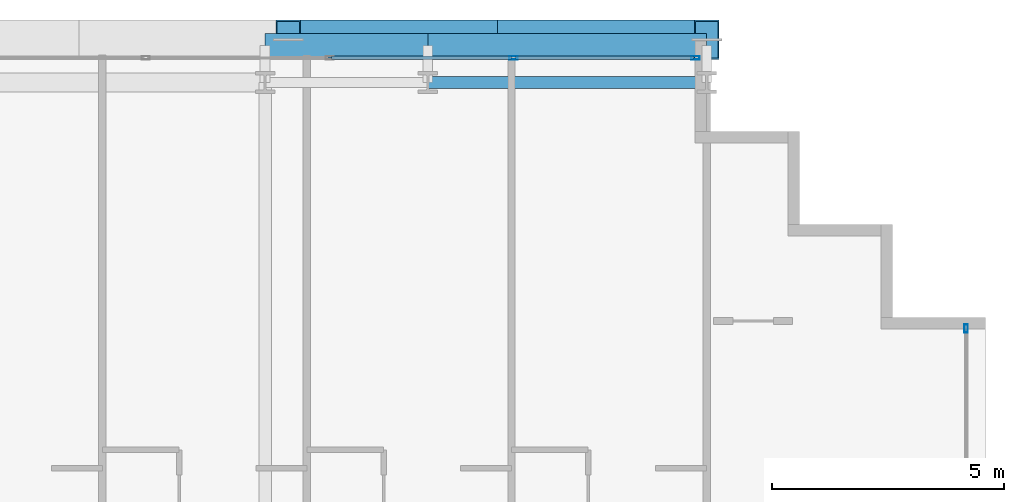
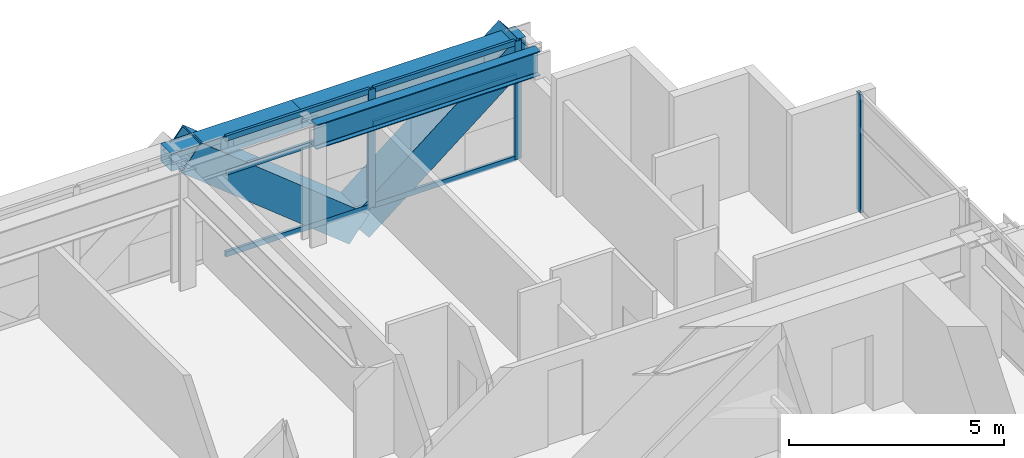
# One storey, part 25 of 41: 11 members, 3 beams, 2 elements without a shape of their own.
"""IFC4 building model written with IfcOpenShell, lengths in metres."""

from ifc_helpers import new_model, si_unit, direction, frame, origin, origin_2d, place, context, subcontext, project, spatial, hollow_rectangle, i_section, extrude, source, transform, mapped, material, layer, layer_set, material_profile, profile_set, type_object, element, aggregate, save


model = new_model("IFC4")

# Units and contexts
model_context = context("Model", 3, precision=1e-05, world=origin(), true_north=direction((0.0, 1.0)))
body_context = subcontext(model_context, "Body", "Model", "MODEL_VIEW")
ifc_project = project(units=[si_unit("LENGTHUNIT", "METRE"), si_unit("AREAUNIT", "SQUARE_METRE"), si_unit("VOLUMEUNIT", "CUBIC_METRE"), si_unit("PLANEANGLEUNIT", "RADIAN"), si_unit("MASSUNIT", "GRAM", prefix="KILO")], contexts=[model_context])

# Site, building, storey
site_placement = place(None, origin())
site = spatial("IfcSite", under=ifc_project, at=site_placement, CompositionType="ELEMENT")
building_placement = place(site_placement, origin())
building = spatial("IfcBuilding", under=site, at=building_placement, Name="Ocotamira Hotel", CompositionType="ELEMENT")
storey_placement = place(building_placement, frame((0.0, 0.0, 38.39990234375)))
storey = spatial("IfcBuildingStorey", under=building, at=storey_placement, Name="L08", CompositionType="ELEMENT", Elevation=38.39990234375)

# Beams
ifc_material_1 = material(Name="Steel ASTM A992 Grade 50", Category="steel")
ifc_material_profile_1 = material_profile(ifc_material_1, i_section(OverallWidth=0.256103515625, OverallDepth=0.693115234375, WebThickness=0.014404296875, FlangeThickness=0.023681640625, FilletRadius=0.01611328125, at=origin_2d()), Name="W27X114")
ifc_profile_set_1 = profile_set([ifc_material_profile_1], Name="Steel ASTM A992 Grade 50")
beam_type_1 = type_object("IfcBeamType", Name="BM-PRIM-W27X114", PredefinedType="BEAM", material=ifc_profile_set_1)
shared_shape_1 = source(origin(), body_context, "Body", "SweptSolid", [
    extrude(i_section(OverallWidth=0.256103515625, OverallDepth=0.693115234375, WebThickness=0.014404296875, FlangeThickness=0.023681640625, FilletRadius=0.01611328125, at=origin_2d()), origin(), (0.0, 0.0, 1.0), 6.0),
])
beam_1_placement = place(storey_placement, frame((44.0, 49.050048828125, 3.003662109375), z_axis=(1.0, 0.0, 0.0), x_axis=(0.0, 1.0, 0.0)))
element("IfcBeam", 1, at=beam_1_placement, inside=storey, type_object=beam_type_1, Name="L08 Girder Y49.05 X44-50", PredefinedType="BEAM", context=body_context, shape_type="MappedRepresentation", body=[
    mapped(shared_shape_1, transform((0.0, 0.0, 0.0), scale=1.0)),
])
ifc_material_2 = material(Name="Steel ASTM A500 Grade C", Category="steel")
ifc_material_profile_2 = material_profile(ifc_material_2, hollow_rectangle(XDim=0.5, YDim=0.5, WallThickness=0.02001953125, at=origin_2d()), Name="HSS500X500X20")
ifc_profile_set_2 = profile_set([ifc_material_profile_2], Name="Steel ASTM A500 Grade C")
beam_type_2 = type_object("IfcBeamType", Name="BM-SPAN-HSS500", PredefinedType="USERDEFINED", material=ifc_profile_set_2)
shared_shape_2 = source(origin(), body_context, "Body", "SweptSolid", [
    extrude(hollow_rectangle(XDim=0.5, YDim=0.5, WallThickness=0.02001953125, at=origin_2d()), origin(), (0.0, 0.0, 1.0), 6.0),
])
beam_2_placement = place(storey_placement, frame((44.0, 49.85009765625, 3.10009765625), z_axis=(1.0, 0.0, 0.0), x_axis=(0.0, 1.0, 0.0)))
element("IfcBeam", 2, at=beam_2_placement, inside=storey, type_object=beam_type_2, Name="L08 Edge Spandrel N X44-50", ObjectType="SPANDREL", PredefinedType="USERDEFINED", context=body_context, shape_type="MappedRepresentation", body=[
    mapped(shared_shape_2, transform((0.0, 0.0, 0.0), scale=1.0)),
])
shared_shape_3 = source(origin(), body_context, "Body", "SweptSolid", [
    extrude(hollow_rectangle(XDim=0.5, YDim=0.5, WallThickness=0.02001953125, at=origin_2d()), origin(), (0.0, 0.0, 1.0), 3.5),
])
beam_3_placement = place(storey_placement, frame((40.5, 49.85009765625, 3.10009765625), z_axis=(1.0, 0.0, 0.0), x_axis=(0.0, 1.0, 0.0)))
element("IfcBeam", 3, at=beam_3_placement, inside=storey, type_object=beam_type_2, Name="L08 Edge Spandrel N X40.5-44", ObjectType="SPANDREL", PredefinedType="USERDEFINED", context=body_context, shape_type="MappedRepresentation", body=[
    mapped(shared_shape_3, transform((0.0, 0.0, 0.0), scale=1.0)),
])

# Members
ifc_material_3 = material(Name="Pale-metal coated steel ASTM A913 Grade 65", Category="steel")
ifc_material_profile_3 = material_profile(ifc_material_3, hollow_rectangle(XDim=0.85009765625, YDim=0.85009765625, WallThickness=0.035888671875, at=origin_2d()), Name="BOX850X850X36")
ifc_profile_set_3 = profile_set([ifc_material_profile_3], Name="Pale-metal coated steel ASTM A913 Grade 65")
member_type_1 = type_object("IfcMemberType", Name="MEM-EXO-BOX850", PredefinedType="BRACE", material=ifc_profile_set_3)
shared_shape_4 = source(origin(), body_context, "Body", "SweptSolid", [
    extrude(hollow_rectangle(XDim=0.85009765625, YDim=0.85009765625, WallThickness=0.035888671875, at=origin_2d()), origin(), (0.0, 0.0, 1.0), 5.762939453125),
])
for number, where, z_axis, x_axis, name in (
    (4, (45.5, 49.969970703125, -0.5), (-0.780860543151, 0.0, 0.624705380279), (0.0, -1.0, 0.0), "L08 Exoskeleton Diagrid N3.1"),
    (5, (45.5, 49.969970703125, -0.5), (0.780860543151, 0.0, 0.624705380279), (0.0, 1.0, 0.0), "L08 Exoskeleton Diagrid N3.2"),
):
    element("IfcMember", number, at=place(storey_placement, frame(where, z_axis=z_axis, x_axis=x_axis)), inside=storey, type_object=member_type_1, Name=name, PredefinedType="BRACE", context=body_context, shape_type="MappedRepresentation", body=[
        mapped(shared_shape_4, transform((0.0, 0.0, 0.0), scale=1.0)),
    ])

# Curtain wall, members
ifc_material_4 = material(Name="Anodised pale-metal aluminium and solar glass", Category="aluminium")
ifc_layer = layer(ifc_material_4, 0.179931640625)
ifc_layer_set = layer_set([ifc_layer], Name="Anodised pale-metal aluminium and solar glass")
curtain_wall_type = type_object("IfcCurtainWallType", Name="CW-SYS2-Z1", PredefinedType="NOTDEFINED", material=ifc_layer_set)
curtain_wall_1_placement = place(storey_placement, origin())
curtain_wall_1 = element("IfcCurtainWall", 6, at=curtain_wall_1_placement, inside=storey, type_object=curtain_wall_type, Name="L08 Curtain Wall CW-2 CW-L08-N", PredefinedType="NOTDEFINED")
ifc_material_5 = material(Name="Anodised pale-metal aluminium 6063-T6", Category="aluminium")
ifc_material_profile_4 = material_profile(ifc_material_5, hollow_rectangle(XDim=0.074951171875, YDim=0.14990234375, WallThickness=0.006103515625, at=origin_2d()), Name="HSS150X75X6")
ifc_profile_set_4 = profile_set([ifc_material_profile_4], Name="Anodised pale-metal aluminium 6063-T6")
member_type_2 = type_object("IfcMemberType", Name="CWT-150X75", PredefinedType="USERDEFINED", material=ifc_profile_set_4)
shared_shape_5 = source(origin(), body_context, "Body", "SweptSolid", [
    extrude(hollow_rectangle(XDim=0.074951171875, YDim=0.14990234375, WallThickness=0.006103515625, at=origin_2d()), origin(), (0.0, 0.0, 1.0), 3.83544921875),
])
member_1_placement = place(storey_placement, frame((45.884521484375, 49.580078125, 0.03759765625), z_axis=(1.0, 0.0, 0.0), x_axis=(0.0, 1.0, 0.0)))
member_1 = element("IfcMember", 7, at=member_1_placement, type_object=member_type_2, Name="CW-2 transom 9.1", ObjectType="TRANSOM", PredefinedType="USERDEFINED", context=body_context, shape_type="MappedRepresentation", body=[
    mapped(shared_shape_5, transform((0.0, 0.0, 0.0), scale=1.0)),
])
member_2_placement = place(storey_placement, frame((45.884521484375, 49.580078125, 2.35009765625), z_axis=(1.0, 0.0, 0.0), x_axis=(0.0, 1.0, 0.0)))
member_2 = element("IfcMember", 8, at=member_2_placement, type_object=member_type_2, Name="CW-2 transom 9.2", ObjectType="TRANSOM", PredefinedType="USERDEFINED", context=body_context, shape_type="MappedRepresentation", body=[
    mapped(shared_shape_5, transform((0.0, 0.0, 0.0), scale=1.0)),
])
member_3_placement = place(storey_placement, frame((45.884521484375, 49.580078125, 3.3125), z_axis=(1.0, 0.0, 0.0), x_axis=(0.0, 1.0, 0.0)))
member_3 = element("IfcMember", 9, at=member_3_placement, type_object=member_type_2, Name="CW-2 transom 9.3", ObjectType="TRANSOM", PredefinedType="USERDEFINED", context=body_context, shape_type="MappedRepresentation", body=[
    mapped(shared_shape_5, transform((0.0, 0.0, 0.0), scale=1.0)),
])
shared_shape_6 = source(origin(), body_context, "Body", "SweptSolid", [
    extrude(hollow_rectangle(XDim=0.074951171875, YDim=0.14990234375, WallThickness=0.006103515625, at=origin_2d()), origin(), (0.0, 0.0, 1.0), 3.87548828125),
])
member_4_placement = place(storey_placement, frame((41.928955078125, 49.580078125, 0.03759765625), z_axis=(1.0, 0.0, 0.0), x_axis=(0.0, 1.0, 0.0)))
member_4 = element("IfcMember", 10, at=member_4_placement, type_object=member_type_2, Name="CW-2 transom 8.1", ObjectType="TRANSOM", PredefinedType="USERDEFINED", context=body_context, shape_type="MappedRepresentation", body=[
    mapped(shared_shape_6, transform((0.0, 0.0, 0.0), scale=1.0)),
])
member_5_placement = place(storey_placement, frame((41.928955078125, 49.580078125, 2.35009765625), z_axis=(1.0, 0.0, 0.0), x_axis=(0.0, 1.0, 0.0)))
member_5 = element("IfcMember", 11, at=member_5_placement, type_object=member_type_2, Name="CW-2 transom 8.2", ObjectType="TRANSOM", PredefinedType="USERDEFINED", context=body_context, shape_type="MappedRepresentation", body=[
    mapped(shared_shape_6, transform((0.0, 0.0, 0.0), scale=1.0)),
])
member_6_placement = place(storey_placement, frame((41.928955078125, 49.580078125, 3.3125), z_axis=(1.0, 0.0, 0.0), x_axis=(0.0, 1.0, 0.0)))
member_6 = element("IfcMember", 12, at=member_6_placement, type_object=member_type_2, Name="CW-2 transom 8.3", ObjectType="TRANSOM", PredefinedType="USERDEFINED", context=body_context, shape_type="MappedRepresentation", body=[
    mapped(shared_shape_6, transform((0.0, 0.0, 0.0), scale=1.0)),
])
ifc_material_profile_5 = material_profile(ifc_material_5, hollow_rectangle(XDim=0.080078125, YDim=0.179931640625, WallThickness=0.006103515625, at=origin_2d()), Name="HSS180X80X6")
ifc_profile_set_5 = profile_set([ifc_material_profile_5], Name="Anodised pale-metal aluminium 6063-T6")
member_type_3 = type_object("IfcMemberType", Name="CWM-180X75", PredefinedType="MULLION", material=ifc_profile_set_5)
shared_shape_7 = source(origin(), body_context, "Body", "SweptSolid", [
    extrude(hollow_rectangle(XDim=0.080078125, YDim=0.179931640625, WallThickness=0.006103515625, at=origin_2d()), origin(), (0.0, 0.0, 1.0), 3.35009765625),
])
member_7_placement = place(storey_placement, frame((45.844482421875, 49.580078125, 0.0), z_axis=(0.0, 0.0, 1.0), x_axis=(0.0, 1.0, 0.0)))
member_7 = element("IfcMember", 13, at=member_7_placement, type_object=member_type_3, Name="CW-2 mullion 9", PredefinedType="MULLION", context=body_context, shape_type="MappedRepresentation", body=[
    mapped(shared_shape_7, transform((0.0, 0.0, 0.0), scale=1.0)),
])
member_8_placement = place(storey_placement, frame((49.760009765625, 49.580078125, 0.0), z_axis=(0.0, 0.0, 1.0), x_axis=(0.0, 1.0, 0.0)))
member_8 = element("IfcMember", 14, at=member_8_placement, type_object=member_type_3, Name="CW-2 mullion 10", PredefinedType="MULLION", context=body_context, shape_type="MappedRepresentation", body=[
    mapped(shared_shape_7, transform((0.0, 0.0, 0.0), scale=1.0)),
])
aggregate(curtain_wall_1, [member_7, member_8, member_4, member_5, member_6, member_1, member_2, member_3])

# Curtain wall, member
curtain_wall_2_placement = place(storey_placement, origin())
curtain_wall_2 = element("IfcCurtainWall", 15, at=curtain_wall_2_placement, inside=storey, type_object=curtain_wall_type, Name="L08 Curtain Wall CW-2 CW-L08-E", PredefinedType="NOTDEFINED")
member_9_placement = place(storey_placement, frame((55.580078125, 43.760009765625, 0.0), z_axis=(0.0, 0.0, 1.0), x_axis=(-1.0, 0.0, 0.0)))
member_9 = element("IfcMember", 16, at=member_9_placement, type_object=member_type_3, Name="CW-2 mullion 8", PredefinedType="MULLION", context=body_context, shape_type="MappedRepresentation", body=[
    mapped(shared_shape_7, transform((0.0, 0.0, 0.0), scale=1.0)),
])
aggregate(curtain_wall_2, [member_9])

save(model, "model.ifc")
